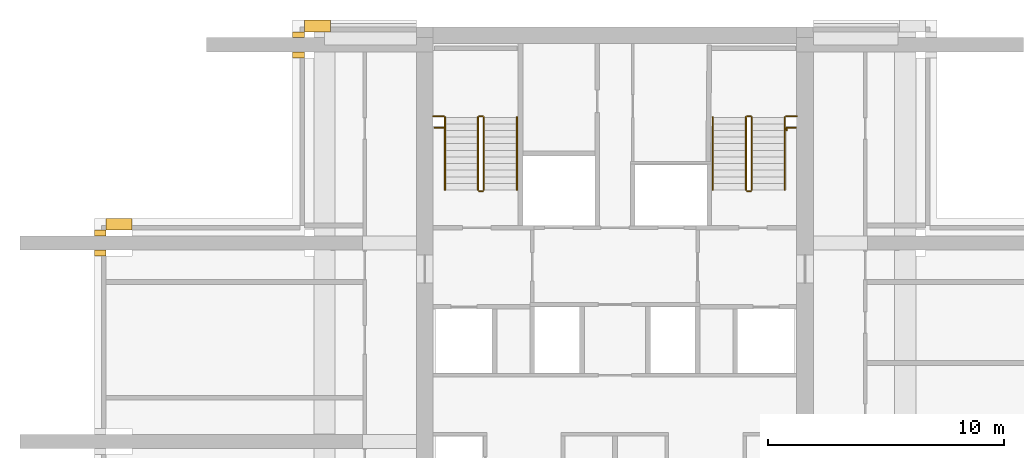
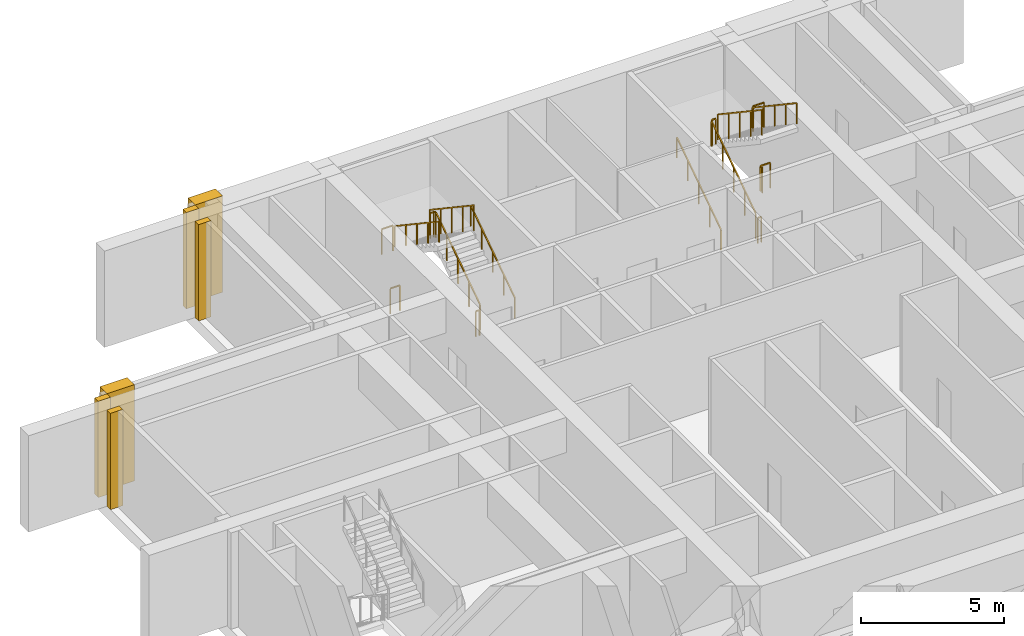
# One storey, part 9 of 10: 14 railings, 6 coverings.
"""IFC4 building model written with IfcOpenShell, lengths in metres."""

from ifc_helpers import new_model, si_unit, direction, frame, origin, origin_2d, place, context, subcontext, project, spatial, polyline, rectangle, outline, extrude, material, type_object, element, save


model = new_model("IFC4")

# Units and contexts
model_context = context("Model", 3, precision=1e-05, world=origin(), true_north=direction((0.0, 1.0)))
body_context = subcontext(model_context, "Body", "Model", "MODEL_VIEW")
ifc_project = project(units=[si_unit("LENGTHUNIT", "METRE"), si_unit("AREAUNIT", "SQUARE_METRE"), si_unit("VOLUMEUNIT", "CUBIC_METRE"), si_unit("PLANEANGLEUNIT", "RADIAN"), si_unit("MASSUNIT", "GRAM", prefix="KILO")], contexts=[model_context])

# Site, building, storey
site_placement = place(None, origin())
site = spatial("IfcSite", under=ifc_project, at=site_placement, CompositionType="ELEMENT")
building_placement = place(site_placement, origin())
building = spatial("IfcBuilding", under=site, at=building_placement, Name="Vermilion Ogive Tower", CompositionType="ELEMENT")
storey_placement = place(building_placement, frame((0.0, 0.0, 171.050048828125)))
storey = spatial("IfcBuildingStorey", under=building, at=storey_placement, Name="L44", CompositionType="ELEMENT", Elevation=171.050048828125)

# Railings
ifc_material_1 = material(Name="Steel S355 painted", Category="steel")
railing_type_1 = type_object("IfcRailingType", Name="Stair guard 1100", PredefinedType="GUARDRAIL", material=ifc_material_1)
railing_1_placement = place(storey_placement, frame((-5.550048828125, 14.85009765625, 0.1875)))
element("IfcRailing", 1, at=railing_1_placement, inside=storey, type_object=railing_type_1, Name="L44 ST1 stair guard 1", PredefinedType="GUARDRAIL", context=body_context, shape_type="SweptSolid", body=[
    extrude(rectangle(XDim=0.048095703125, YDim=0.048095703125, at=origin_2d()), frame((0.0, 0.0, 1.076171875), z_axis=(0.0, 0.830893310487, 0.556431762742), x_axis=(-1.0, 0.0, 0.0)), (0.0, 0.0, 1.0), 3.70654296875),
    extrude(rectangle(XDim=0.048095703125, YDim=0.048095703125, at=origin_2d()), frame((0.0, 3.079833984375, 3.138671875), z_axis=(-0.707106781187, 0.707106781187, 0.0), x_axis=(-0.707106781187, -0.707106781187, 0.0)), (0.0, 0.0, 1.0), 0.07080078125),
    extrude(rectangle(XDim=0.048095703125, YDim=0.048095703125, at=origin_2d()), frame((-0.050048828125, 3.1298828125, 3.138671875), z_axis=(-1.0, 0.0, 0.0), x_axis=(0.0, -1.0, 0.0)), (0.0, 0.0, 1.0), 0.14990234375),
    extrude(rectangle(XDim=0.0419921875, YDim=0.0419921875, at=origin_2d()), origin(), (0.0, 0.0, 1.0), 1.052001953125),
    extrude(rectangle(XDim=0.0419921875, YDim=0.0419921875, at=origin_2d()), frame((0.0, 0.77001953125, 0.515625)), (0.0, 0.0, 1.0), 1.052001953125),
    extrude(rectangle(XDim=0.0419921875, YDim=0.0419921875, at=origin_2d()), frame((0.0, 1.5400390625, 1.03125)), (0.0, 0.0, 1.0), 1.052001953125),
    extrude(rectangle(XDim=0.0419921875, YDim=0.0419921875, at=origin_2d()), frame((0.0, 2.309814453125, 1.546875)), (0.0, 0.0, 1.0), 1.052001953125),
    extrude(rectangle(XDim=0.0419921875, YDim=0.0419921875, at=origin_2d()), frame((0.0, 3.079833984375, 2.0625)), (0.0, 0.0, 1.0), 1.052001953125),
    extrude(rectangle(XDim=0.0419921875, YDim=0.0419921875, at=origin_2d()), frame((-0.050048828125, 3.1298828125, 2.0625)), (0.0, 0.0, 1.0), 1.052001953125),
    extrude(rectangle(XDim=0.0419921875, YDim=0.0419921875, at=origin_2d()), frame((-0.199951171875, 3.1298828125, 2.0625)), (0.0, 0.0, 1.0), 1.052001953125),
])
railing_2_placement = place(storey_placement, frame((-5.800048828125, 17.929931640625, 2.4375)))
element("IfcRailing", 2, at=railing_2_placement, inside=storey, type_object=railing_type_1, Name="L44 ST1 stair guard 3", PredefinedType="GUARDRAIL", context=body_context, shape_type="SweptSolid", body=[
    extrude(rectangle(XDim=0.048095703125, YDim=0.048095703125, at=origin_2d()), frame((0.0, 0.0, 1.076171875), z_axis=(0.0, -0.830893310487, 0.556431762742), x_axis=(1.0, 0.0, 0.0)), (0.0, 0.0, 1.0), 3.70654296875),
    extrude(rectangle(XDim=0.0419921875, YDim=0.0419921875, at=origin_2d()), origin(), (0.0, 0.0, 1.0), 1.052001953125),
    extrude(rectangle(XDim=0.0419921875, YDim=0.0419921875, at=origin_2d()), frame((0.0, -0.77001953125, 0.515625)), (0.0, 0.0, 1.0), 1.052001953125),
    extrude(rectangle(XDim=0.0419921875, YDim=0.0419921875, at=origin_2d()), frame((0.0, -1.5400390625, 1.03125)), (0.0, 0.0, 1.0), 1.052001953125),
    extrude(rectangle(XDim=0.0419921875, YDim=0.0419921875, at=origin_2d()), frame((0.0, -2.309814453125, 1.546875)), (0.0, 0.0, 1.0), 1.052001953125),
    extrude(rectangle(XDim=0.0419921875, YDim=0.0419921875, at=origin_2d()), frame((0.0, -3.079833984375, 2.0625)), (0.0, 0.0, 1.0), 1.052001953125),
])
railing_3_placement = place(storey_placement, frame((-5.60009765625, 14.800048828125, 0.0)))
element("IfcRailing", 3, at=railing_3_placement, inside=storey, type_object=railing_type_1, Name="L44 ST1 stair guard 4", PredefinedType="GUARDRAIL", context=body_context, shape_type="SweptSolid", body=[
    extrude(rectangle(XDim=0.048095703125, YDim=0.048095703125, at=origin_2d()), frame((0.0, 0.0, 1.076171875), z_axis=(-1.0, 0.0, 0.0), x_axis=(0.0, -1.0, 0.0)), (0.0, 0.0, 1.0), 0.14990234375),
    extrude(rectangle(XDim=0.0419921875, YDim=0.0419921875, at=origin_2d()), origin(), (0.0, 0.0, 1.0), 1.052001953125),
    extrude(rectangle(XDim=0.0419921875, YDim=0.0419921875, at=origin_2d()), frame((-0.14990234375, 0.0, 0.0)), (0.0, 0.0, 1.0), 1.052001953125),
])
railing_4_placement = place(storey_placement, frame((5.550048828125, 14.85009765625, 0.1875)))
element("IfcRailing", 4, at=railing_4_placement, inside=storey, type_object=railing_type_1, Name="L44 ST2 stair guard 1", PredefinedType="GUARDRAIL", context=body_context, shape_type="SweptSolid", body=[
    extrude(rectangle(XDim=0.048095703125, YDim=0.048095703125, at=origin_2d()), frame((0.0, 0.0, 1.076171875), z_axis=(0.0, 0.830893310487, 0.556431762742), x_axis=(-1.0, 0.0, 0.0)), (0.0, 0.0, 1.0), 3.70654296875),
    extrude(rectangle(XDim=0.048095703125, YDim=0.048095703125, at=origin_2d()), frame((0.0, 3.079833984375, 3.138671875), z_axis=(0.707106781187, 0.707106781187, 0.0), x_axis=(-0.707106781187, 0.707106781187, 0.0)), (0.0, 0.0, 1.0), 0.07080078125),
    extrude(rectangle(XDim=0.048095703125, YDim=0.048095703125, at=origin_2d()), frame((0.050048828125, 3.1298828125, 3.138671875), z_axis=(1.0, 0.0, 0.0), x_axis=(0.0, 1.0, 0.0)), (0.0, 0.0, 1.0), 0.14990234375),
    extrude(rectangle(XDim=0.0419921875, YDim=0.0419921875, at=origin_2d()), origin(), (0.0, 0.0, 1.0), 1.052001953125),
    extrude(rectangle(XDim=0.0419921875, YDim=0.0419921875, at=origin_2d()), frame((0.0, 0.77001953125, 0.515625)), (0.0, 0.0, 1.0), 1.052001953125),
    extrude(rectangle(XDim=0.0419921875, YDim=0.0419921875, at=origin_2d()), frame((0.0, 1.5400390625, 1.03125)), (0.0, 0.0, 1.0), 1.052001953125),
    extrude(rectangle(XDim=0.0419921875, YDim=0.0419921875, at=origin_2d()), frame((0.0, 2.309814453125, 1.546875)), (0.0, 0.0, 1.0), 1.052001953125),
    extrude(rectangle(XDim=0.0419921875, YDim=0.0419921875, at=origin_2d()), frame((0.0, 3.079833984375, 2.0625)), (0.0, 0.0, 1.0), 1.052001953125),
    extrude(rectangle(XDim=0.0419921875, YDim=0.0419921875, at=origin_2d()), frame((0.050048828125, 3.1298828125, 2.0625)), (0.0, 0.0, 1.0), 1.052001953125),
    extrude(rectangle(XDim=0.0419921875, YDim=0.0419921875, at=origin_2d()), frame((0.199951171875, 3.1298828125, 2.0625)), (0.0, 0.0, 1.0), 1.052001953125),
])
railing_5_placement = place(storey_placement, frame((5.800048828125, 17.929931640625, 2.4375)))
element("IfcRailing", 5, at=railing_5_placement, inside=storey, type_object=railing_type_1, Name="L44 ST2 stair guard 3", PredefinedType="GUARDRAIL", context=body_context, shape_type="SweptSolid", body=[
    extrude(rectangle(XDim=0.048095703125, YDim=0.048095703125, at=origin_2d()), frame((0.0, 0.0, 1.076171875), z_axis=(0.0, -0.830893310487, 0.556431762742), x_axis=(1.0, 0.0, 0.0)), (0.0, 0.0, 1.0), 3.70654296875),
    extrude(rectangle(XDim=0.0419921875, YDim=0.0419921875, at=origin_2d()), origin(), (0.0, 0.0, 1.0), 1.052001953125),
    extrude(rectangle(XDim=0.0419921875, YDim=0.0419921875, at=origin_2d()), frame((0.0, -0.77001953125, 0.515625)), (0.0, 0.0, 1.0), 1.052001953125),
    extrude(rectangle(XDim=0.0419921875, YDim=0.0419921875, at=origin_2d()), frame((0.0, -1.5400390625, 1.03125)), (0.0, 0.0, 1.0), 1.052001953125),
    extrude(rectangle(XDim=0.0419921875, YDim=0.0419921875, at=origin_2d()), frame((0.0, -2.309814453125, 1.546875)), (0.0, 0.0, 1.0), 1.052001953125),
    extrude(rectangle(XDim=0.0419921875, YDim=0.0419921875, at=origin_2d()), frame((0.0, -3.079833984375, 2.0625)), (0.0, 0.0, 1.0), 1.052001953125),
])
railing_6_placement = place(storey_placement, frame((5.60009765625, 14.800048828125, 0.0)))
element("IfcRailing", 6, at=railing_6_placement, inside=storey, type_object=railing_type_1, Name="L44 ST2 stair guard 4", PredefinedType="GUARDRAIL", context=body_context, shape_type="SweptSolid", body=[
    extrude(rectangle(XDim=0.048095703125, YDim=0.048095703125, at=origin_2d()), frame((0.0, 0.0, 1.076171875), z_axis=(1.0, 0.0, 0.0), x_axis=(0.0, 1.0, 0.0)), (0.0, 0.0, 1.0), 0.14990234375),
    extrude(rectangle(XDim=0.0419921875, YDim=0.0419921875, at=origin_2d()), origin(), (0.0, 0.0, 1.0), 1.052001953125),
    extrude(rectangle(XDim=0.0419921875, YDim=0.0419921875, at=origin_2d()), frame((0.14990234375, 0.0, 0.0)), (0.0, 0.0, 1.0), 1.052001953125),
])
for number, where, name in (
    (7, (-7.699951171875, 17.97998046875, 2.25), "L44 landing guard"),
    (8, (7.25, 17.97998046875, 2.25), "L44 landing guard"),
):
    element("IfcRailing", number, at=place(storey_placement, frame(where)), inside=storey, type_object=railing_type_1, Name=name, PredefinedType="GUARDRAIL", context=body_context, shape_type="SweptSolid", body=[
        extrude(rectangle(XDim=0.048095703125, YDim=0.048095703125, at=origin_2d()), frame((0.0, 0.0, 1.076171875), z_axis=(1.0, 0.0, 0.0), x_axis=(0.0, 1.0, 0.0)), (0.0, 0.0, 1.0), 0.449951171875),
        extrude(rectangle(XDim=0.0419921875, YDim=0.0419921875, at=origin_2d()), origin(), (0.0, 0.0, 1.0), 1.052001953125),
        extrude(rectangle(XDim=0.0419921875, YDim=0.0419921875, at=origin_2d()), frame((0.449951171875, 0.0, 0.0)), (0.0, 0.0, 1.0), 1.052001953125),
    ])
railing_7_placement = place(storey_placement, frame((-7.639892578125, 17.489990234375, 0.0)))
element("IfcRailing", 9, at=railing_7_placement, inside=storey, type_object=railing_type_1, Name="L44 stair opening guard", PredefinedType="GUARDRAIL", context=body_context, shape_type="SweptSolid", body=[
    extrude(rectangle(XDim=0.048095703125, YDim=0.048095703125, at=origin_2d()), frame((0.0, 0.0, 1.076171875), z_axis=(1.0, 0.0, 0.0), x_axis=(0.0, 1.0, 0.0)), (0.0, 0.0, 1.0), 0.389892578125),
    extrude(rectangle(XDim=0.0419921875, YDim=0.0419921875, at=origin_2d()), origin(), (0.0, 0.0, 1.0), 1.052001953125),
    extrude(rectangle(XDim=0.0419921875, YDim=0.0419921875, at=origin_2d()), frame((0.389892578125, 0.0, 0.0)), (0.0, 0.0, 1.0), 1.052001953125),
])
railing_8_placement = place(storey_placement, frame((7.267578125, 17.372802734375, 0.0)))
element("IfcRailing", 10, at=railing_8_placement, inside=storey, type_object=railing_type_1, Name="L44 stair opening guard", PredefinedType="GUARDRAIL", context=body_context, shape_type="SweptSolid", body=[
    extrude(rectangle(XDim=0.048095703125, YDim=0.048095703125, at=origin_2d()), frame((0.0, 0.0, 1.076171875), z_axis=(0.0, 1.0, 0.0), x_axis=(-1.0, 0.0, 0.0)), (0.0, 0.0, 1.0), 0.119873046875),
    extrude(rectangle(XDim=0.048095703125, YDim=0.048095703125, at=origin_2d()), frame((0.0, 0.119873046875, 1.076171875), z_axis=(1.0, 0.0, 0.0), x_axis=(0.0, 1.0, 0.0)), (0.0, 0.0, 1.0), 0.39013671875),
    extrude(rectangle(XDim=0.0419921875, YDim=0.0419921875, at=origin_2d()), origin(), (0.0, 0.0, 1.0), 1.052001953125),
    extrude(rectangle(XDim=0.0419921875, YDim=0.0419921875, at=origin_2d()), frame((0.0, 0.119873046875, 0.0)), (0.0, 0.0, 1.0), 1.052001953125),
    extrude(rectangle(XDim=0.0419921875, YDim=0.0419921875, at=origin_2d()), frame((0.39013671875, 0.119873046875, 0.0)), (0.0, 0.0, 1.0), 1.052001953125),
])
ifc_material_2 = material(Name="Stainless steel", Category="steel")
railing_type_2 = type_object("IfcRailingType", Name="Stair handrail 900", PredefinedType="HANDRAIL", material=ifc_material_2)
railing_9_placement = place(storey_placement, frame((-4.14990234375, 14.85009765625, 0.1875)))
element("IfcRailing", 11, at=railing_9_placement, inside=storey, type_object=railing_type_2, Name="L44 ST1 stair handrail 1", PredefinedType="HANDRAIL", context=body_context, shape_type="SweptSolid", body=[
    extrude(rectangle(XDim=0.048095703125, YDim=0.048095703125, at=origin_2d()), frame((0.0, 0.0, 0.8759765625), z_axis=(0.0, 0.830893310487, 0.556431762742), x_axis=(-1.0, 0.0, 0.0)), (0.0, 0.0, 1.0), 3.70654296875),
    extrude(rectangle(XDim=0.0419921875, YDim=0.0419921875, at=origin_2d()), origin(), (0.0, 0.0, 1.0), 0.851806640625),
    extrude(rectangle(XDim=0.0419921875, YDim=0.0419921875, at=origin_2d()), frame((0.0, 0.77001953125, 0.515625)), (0.0, 0.0, 1.0), 0.851806640625),
    extrude(rectangle(XDim=0.0419921875, YDim=0.0419921875, at=origin_2d()), frame((0.0, 1.5400390625, 1.03125)), (0.0, 0.0, 1.0), 0.851806640625),
    extrude(rectangle(XDim=0.0419921875, YDim=0.0419921875, at=origin_2d()), frame((0.0, 2.309814453125, 1.546875)), (0.0, 0.0, 1.0), 0.851806640625),
    extrude(rectangle(XDim=0.0419921875, YDim=0.0419921875, at=origin_2d()), frame((0.0, 3.079833984375, 2.0625)), (0.0, 0.0, 1.0), 0.851806640625),
])
railing_10_placement = place(storey_placement, frame((-7.199951171875, 17.929931640625, 2.4375)))
element("IfcRailing", 12, at=railing_10_placement, inside=storey, type_object=railing_type_2, Name="L44 ST1 stair handrail 2", PredefinedType="HANDRAIL", context=body_context, shape_type="SweptSolid", body=[
    extrude(rectangle(XDim=0.048095703125, YDim=0.048095703125, at=origin_2d()), frame((0.0, 0.0, 0.8759765625), z_axis=(0.0, -0.830893310487, 0.556431762742), x_axis=(1.0, 0.0, 0.0)), (0.0, 0.0, 1.0), 3.70654296875),
    extrude(rectangle(XDim=0.0419921875, YDim=0.0419921875, at=origin_2d()), origin(), (0.0, 0.0, 1.0), 0.851806640625),
    extrude(rectangle(XDim=0.0419921875, YDim=0.0419921875, at=origin_2d()), frame((0.0, -0.77001953125, 0.515625)), (0.0, 0.0, 1.0), 0.851806640625),
    extrude(rectangle(XDim=0.0419921875, YDim=0.0419921875, at=origin_2d()), frame((0.0, -1.5400390625, 1.03125)), (0.0, 0.0, 1.0), 0.851806640625),
    extrude(rectangle(XDim=0.0419921875, YDim=0.0419921875, at=origin_2d()), frame((0.0, -2.309814453125, 1.546875)), (0.0, 0.0, 1.0), 0.851806640625),
    extrude(rectangle(XDim=0.0419921875, YDim=0.0419921875, at=origin_2d()), frame((0.0, -3.079833984375, 2.0625)), (0.0, 0.0, 1.0), 0.851806640625),
])
railing_11_placement = place(storey_placement, frame((4.14990234375, 14.85009765625, 0.1875)))
element("IfcRailing", 13, at=railing_11_placement, inside=storey, type_object=railing_type_2, Name="L44 ST2 stair handrail 1", PredefinedType="HANDRAIL", context=body_context, shape_type="SweptSolid", body=[
    extrude(rectangle(XDim=0.048095703125, YDim=0.048095703125, at=origin_2d()), frame((0.0, 0.0, 0.8759765625), z_axis=(0.0, 0.830893310487, 0.556431762742), x_axis=(-1.0, 0.0, 0.0)), (0.0, 0.0, 1.0), 3.70654296875),
    extrude(rectangle(XDim=0.0419921875, YDim=0.0419921875, at=origin_2d()), origin(), (0.0, 0.0, 1.0), 0.851806640625),
    extrude(rectangle(XDim=0.0419921875, YDim=0.0419921875, at=origin_2d()), frame((0.0, 0.77001953125, 0.515625)), (0.0, 0.0, 1.0), 0.851806640625),
    extrude(rectangle(XDim=0.0419921875, YDim=0.0419921875, at=origin_2d()), frame((0.0, 1.5400390625, 1.03125)), (0.0, 0.0, 1.0), 0.851806640625),
    extrude(rectangle(XDim=0.0419921875, YDim=0.0419921875, at=origin_2d()), frame((0.0, 2.309814453125, 1.546875)), (0.0, 0.0, 1.0), 0.851806640625),
    extrude(rectangle(XDim=0.0419921875, YDim=0.0419921875, at=origin_2d()), frame((0.0, 3.079833984375, 2.0625)), (0.0, 0.0, 1.0), 0.851806640625),
])
railing_12_placement = place(storey_placement, frame((7.199951171875, 17.929931640625, 2.4375)))
element("IfcRailing", 14, at=railing_12_placement, inside=storey, type_object=railing_type_2, Name="L44 ST2 stair handrail 2", PredefinedType="HANDRAIL", context=body_context, shape_type="SweptSolid", body=[
    extrude(rectangle(XDim=0.048095703125, YDim=0.048095703125, at=origin_2d()), frame((0.0, 0.0, 0.8759765625), z_axis=(0.0, -0.830893310487, 0.556431762742), x_axis=(1.0, 0.0, 0.0)), (0.0, 0.0, 1.0), 3.70654296875),
    extrude(rectangle(XDim=0.0419921875, YDim=0.0419921875, at=origin_2d()), origin(), (0.0, 0.0, 1.0), 0.851806640625),
    extrude(rectangle(XDim=0.0419921875, YDim=0.0419921875, at=origin_2d()), frame((0.0, -0.77001953125, 0.515625)), (0.0, 0.0, 1.0), 0.851806640625),
    extrude(rectangle(XDim=0.0419921875, YDim=0.0419921875, at=origin_2d()), frame((0.0, -1.5400390625, 1.03125)), (0.0, 0.0, 1.0), 0.851806640625),
    extrude(rectangle(XDim=0.0419921875, YDim=0.0419921875, at=origin_2d()), frame((0.0, -2.309814453125, 1.546875)), (0.0, 0.0, 1.0), 0.851806640625),
    extrude(rectangle(XDim=0.0419921875, YDim=0.0419921875, at=origin_2d()), frame((0.0, -3.079833984375, 2.0625)), (0.0, 0.0, 1.0), 0.851806640625),
])

# Coverings
ifc_material_3 = material(Name="Stone cladding", Category="masonry")
covering_type = type_object("IfcCoveringType", Name="Stone pier", PredefinedType="CLADDING", material=ifc_material_3)
covering_1_placement = place(storey_placement, origin())
element("IfcCovering", 15, at=covering_1_placement, inside=storey, type_object=covering_type, Name="Stone pier P-0126+210N2", PredefinedType="CLADDING", context=body_context, shape_type="SweptSolid", body=[
    extrude(outline(polyline([(-13.14990234375, 21.550048828125), (-13.14990234375, 22.050048828125), (-12.050048828125, 22.050048828125), (-12.050048828125, 21.550048828125), (-12.050048828125, 21.550048828125), (-13.14990234375, 21.550048828125)])), origin(), (0.0, 0.0, 1.0), 4.099853515625),
])
covering_2_placement = place(storey_placement, origin())
element("IfcCovering", 16, at=covering_2_placement, inside=storey, type_object=covering_type, Name="Stone pier P-0126+210X5", PredefinedType="CLADDING", context=body_context, shape_type="SweptSolid", body=[
    extrude(outline(polyline([(-13.64990234375, 20.699951171875), (-13.14990234375, 20.699951171875), (-13.14990234375, 20.449951171875), (-13.64990234375, 20.449951171875), (-13.64990234375, 20.699951171875)])), origin(), (0.0, 0.0, 1.0), 4.099853515625),
])
covering_3_placement = place(storey_placement, origin())
element("IfcCovering", 17, at=covering_3_placement, inside=storey, type_object=covering_type, Name="Stone pier P-0126+210X51", PredefinedType="CLADDING", context=body_context, shape_type="SweptSolid", body=[
    extrude(outline(polyline([(-13.14990234375, 21.550048828125), (-13.14990234375, 21.300048828125), (-13.64990234375, 21.300048828125), (-13.64990234375, 21.550048828125), (-13.14990234375, 21.550048828125)])), origin(), (0.0, 0.0, 1.0), 4.099853515625),
])
covering_4_placement = place(storey_placement, origin())
element("IfcCovering", 18, at=covering_4_placement, inside=storey, type_object=covering_type, Name="Stone pier P-0210+126X6", PredefinedType="CLADDING", context=body_context, shape_type="SweptSolid", body=[
    extrude(outline(polyline([(-21.550048828125, 13.64990234375), (-20.449951171875, 13.64990234375), (-20.449951171875, 13.14990234375), (-21.550048828125, 13.14990234375), (-21.550048828125, 13.64990234375)])), origin(), (0.0, 0.0, 1.0), 4.099853515625),
])
covering_5_placement = place(storey_placement, origin())
element("IfcCovering", 19, at=covering_5_placement, inside=storey, type_object=covering_type, Name="Stone pier P-0210+126W", PredefinedType="CLADDING", context=body_context, shape_type="SweptSolid", body=[
    extrude(outline(polyline([(-22.050048828125, 12.300048828125), (-21.550048828125, 12.300048828125), (-21.550048828125, 12.050048828125), (-22.050048828125, 12.050048828125), (-22.050048828125, 12.300048828125)])), origin(), (0.0, 0.0, 1.0), 4.099853515625),
])
covering_6_placement = place(storey_placement, origin())
element("IfcCovering", 20, at=covering_6_placement, inside=storey, type_object=covering_type, Name="Stone pier P-0210+126W1", PredefinedType="CLADDING", context=body_context, shape_type="SweptSolid", body=[
    extrude(outline(polyline([(-21.550048828125, 13.14990234375), (-21.550048828125, 12.89990234375), (-22.050048828125, 12.89990234375), (-22.050048828125, 13.14990234375), (-21.550048828125, 13.14990234375)])), origin(), (0.0, 0.0, 1.0), 4.099853515625),
])

save(model, "model.ifc")
